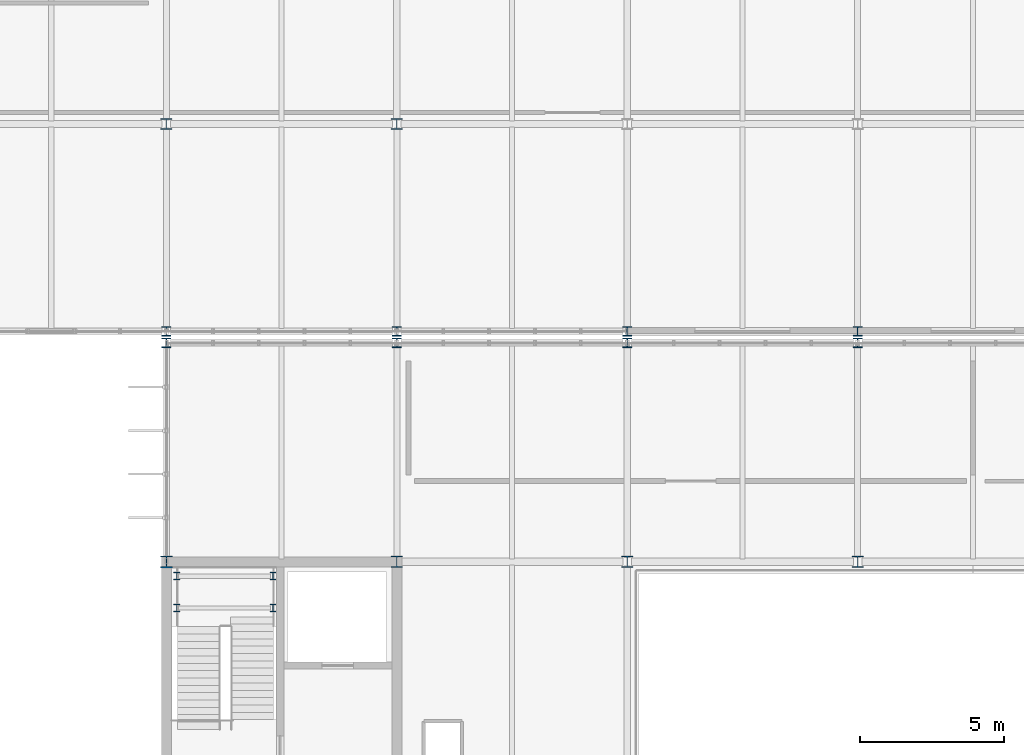
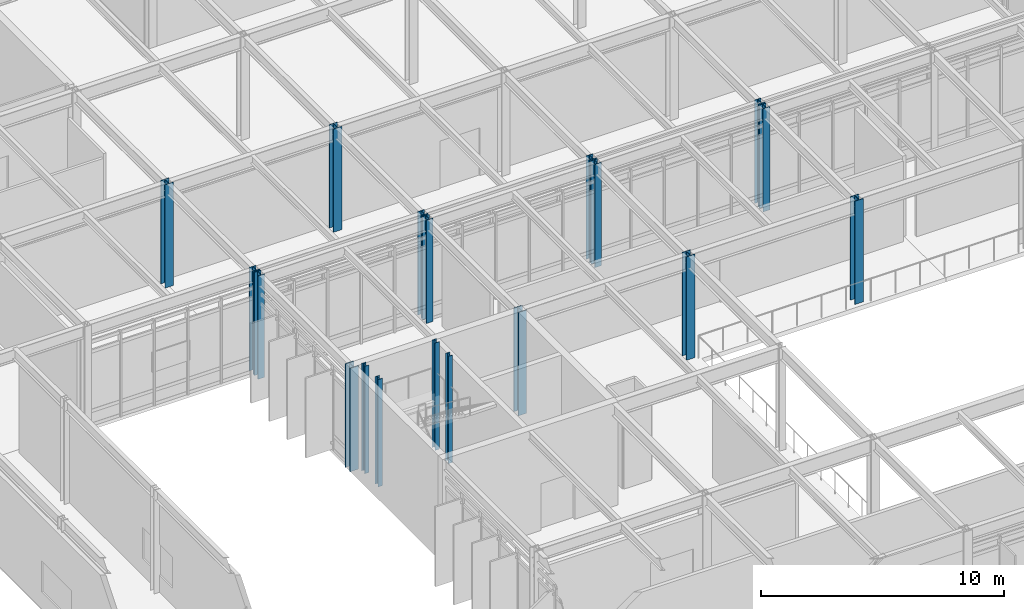
# One storey, part 11 of 94: 18 columns.
"""IFC4 building model written with IfcOpenShell, lengths in metres."""

from ifc_helpers import new_model, si_unit, direction, frame, origin, origin_2d, place, context, subcontext, project, spatial, i_section, extrude, material, material_profile, profile_set, type_object, element, save


model = new_model("IFC4")

# Units and contexts
model_context = context("Model", 3, precision=1e-05, world=origin(), true_north=direction((0.0, 1.0)))
body_context = subcontext(model_context, "Body", "Model", "MODEL_VIEW")
ifc_project = project(units=[si_unit("LENGTHUNIT", "METRE"), si_unit("AREAUNIT", "SQUARE_METRE"), si_unit("VOLUMEUNIT", "CUBIC_METRE"), si_unit("PLANEANGLEUNIT", "RADIAN"), si_unit("MASSUNIT", "GRAM", prefix="KILO")], contexts=[model_context])

# Site, building, storey
site_placement = place(None, origin())
site = spatial("IfcSite", under=ifc_project, at=site_placement, CompositionType="ELEMENT")
building_placement = place(site_placement, origin())
building = spatial("IfcBuilding", under=site, at=building_placement, Name="Zulena Civic Courthouse", CompositionType="ELEMENT")
storey_placement = place(building_placement, frame((0.0, 0.0, 5.39990234375)))
storey = spatial("IfcBuildingStorey", under=building, at=storey_placement, Name="L01", CompositionType="ELEMENT", Elevation=5.39990234375)

# Columns
ifc_material = material(Name="Steel ASTM A992 Grade 50", Category="steel")
ifc_material_profile_1 = material_profile(ifc_material, i_section(OverallWidth=0.2041015625, OverallDepth=0.257080078125, WebThickness=0.0087890625, FlangeThickness=0.015625, FilletRadius=0.0126953125, at=origin_2d()), Name="W10X45")
ifc_profile_set_1 = profile_set([ifc_material_profile_1], Name="Steel ASTM A992 Grade 50")
column_type_1 = type_object("IfcColumnType", Name="Col_W10X45", PredefinedType="COLUMN", material=ifc_profile_set_1)
for number, where, z_axis, x_axis, name in (
    (1, (68.360107421875, 36.39990234375, 0.0), (0.0, 0.0, 1.0), (1.0, 0.0, 0.0), "col:lnd:K4A:L01:0:0"),
    (2, (71.699951171875, 36.39990234375, 0.0), (0.0, 0.0, 1.0), (1.0, 0.0, 0.0), "col:lnd:K4A:L01:0:1"),
    (3, (68.360107421875, 37.5, 0.0), (0.0, 0.0, 1.0), (1.0, 0.0, 0.0), "col:lnd:K4A:L01:1:0"),
    (4, (71.699951171875, 37.5, 0.0), (0.0, 0.0, 1.0), (1.0, 0.0, 0.0), "col:lnd:K4A:L01:1:1"),
):
    element("IfcColumn", number, at=place(storey_placement, frame(where, z_axis=z_axis, x_axis=x_axis)), inside=storey, type_object=column_type_1, Name=name, PredefinedType="COLUMN", context=body_context, shape_type="SweptSolid", body=[
        extrude(i_section(OverallWidth=0.2041015625, OverallDepth=0.257080078125, WebThickness=0.0087890625, FlangeThickness=0.015625, FilletRadius=0.0126953125, at=origin_2d()), origin(), (0.0, 0.0, 1.0), 5.39501953125),
    ])
ifc_material_profile_2 = material_profile(ifc_material, i_section(OverallWidth=0.31298828125, OverallDepth=0.3330078125, WebThickness=0.01806640625, FlangeThickness=0.0283203125, FilletRadius=0.01513671875, at=origin_2d()), Name="W12X120")
ifc_profile_set_2 = profile_set([ifc_material_profile_2], Name="Steel ASTM A992 Grade 50")
column_type_2 = type_object("IfcColumnType", Name="Col_W12X120", PredefinedType="COLUMN", material=ifc_profile_set_2)
for number, where, z_axis, x_axis, name in (
    (5, (68.0, 45.60009765625, 0.0), (0.0, 0.0, 1.0), (1.0, 0.0, 0.0), "col:V4:L01:68.0:45.6"),
    (6, (76.0, 45.60009765625, 0.0), (0.0, 0.0, 1.0), (1.0, 0.0, 0.0), "col:V4:L01:76.0:45.6"),
    (7, (84.0, 45.60009765625, 0.0), (0.0, 0.0, 1.0), (1.0, 0.0, 0.0), "col:V4:L01:84.0:45.6"),
    (8, (92.0, 45.60009765625, 0.0), (0.0, 0.0, 1.0), (1.0, 0.0, 0.0), "col:V4:L01:92.0:45.6"),
    (9, (68.0, 46.0, 0.0), (0.0, 0.0, 1.0), (1.0, 0.0, 0.0), "col:V5:L01:68.0:46.0"),
    (10, (76.0, 46.0, 0.0), (0.0, 0.0, 1.0), (1.0, 0.0, 0.0), "col:V5:L01:76.0:46.0"),
    (11, (84.0, 46.0, 0.0), (0.0, 0.0, 1.0), (1.0, 0.0, 0.0), "col:V5:L01:84.0:46.0"),
    (12, (92.0, 46.0, 0.0), (0.0, 0.0, 1.0), (1.0, 0.0, 0.0), "col:V5:L01:92.0:46.0"),
):
    element("IfcColumn", number, at=place(storey_placement, frame(where, z_axis=z_axis, x_axis=x_axis)), inside=storey, type_object=column_type_2, Name=name, PredefinedType="COLUMN", context=body_context, shape_type="SweptSolid", body=[
        extrude(i_section(OverallWidth=0.31298828125, OverallDepth=0.3330078125, WebThickness=0.01806640625, FlangeThickness=0.0283203125, FilletRadius=0.01513671875, at=origin_2d()), origin(), (0.0, 0.0, 1.0), 5.18505859375),
    ])
ifc_material_profile_3 = material_profile(ifc_material, i_section(OverallWidth=0.39404296875, OverallDepth=0.3759765625, WebThickness=0.017333984375, FlangeThickness=0.027587890625, FilletRadius=0.01513671875, at=origin_2d()), Name="W14X145")
ifc_profile_set_3 = profile_set([ifc_material_profile_3], Name="Steel ASTM A992 Grade 50")
column_type_3 = type_object("IfcColumnType", Name="Col_W14X145", PredefinedType="COLUMN", material=ifc_profile_set_3)
for number, where, z_axis, x_axis, name in (
    (13, (68.0, 53.199951171875, 0.0), (0.0, 0.0, 1.0), (1.0, 0.0, 0.0), "col:V5:L01:68.0:53.2"),
    (14, (76.0, 53.199951171875, 0.0), (0.0, 0.0, 1.0), (1.0, 0.0, 0.0), "col:V5:L01:76.0:53.2"),
):
    element("IfcColumn", number, at=place(storey_placement, frame(where, z_axis=z_axis, x_axis=x_axis)), inside=storey, type_object=column_type_3, Name=name, PredefinedType="COLUMN", context=body_context, shape_type="SweptSolid", body=[
        extrude(i_section(OverallWidth=0.39404296875, OverallDepth=0.3759765625, WebThickness=0.017333984375, FlangeThickness=0.027587890625, FilletRadius=0.01513671875, at=origin_2d()), origin(), (0.0, 0.0, 1.0), 5.18505859375),
    ])
ifc_material_profile_4 = material_profile(ifc_material, i_section(OverallWidth=0.40087890625, OverallDepth=0.39892578125, WebThickness=0.02490234375, FlangeThickness=0.03955078125, FilletRadius=0.01513671875, at=origin_2d()), Name="W14X211")
ifc_profile_set_4 = profile_set([ifc_material_profile_4], Name="Steel ASTM A992 Grade 50")
column_type_4 = type_object("IfcColumnType", Name="Col_W14X211", PredefinedType="COLUMN", material=ifc_profile_set_4)
for number, where, z_axis, x_axis, name in (
    (15, (76.0, 38.0, 0.0), (0.0, 0.0, 1.0), (1.0, 0.0, 0.0), "col:V4:L01:76.0:38.0"),
    (16, (84.0, 38.0, 0.0), (0.0, 0.0, 1.0), (1.0, 0.0, 0.0), "col:V4:L01:84.0:38.0"),
    (17, (92.0, 38.0, 0.0), (0.0, 0.0, 1.0), (1.0, 0.0, 0.0), "col:V4:L01:92.0:38.0"),
):
    element("IfcColumn", number, at=place(storey_placement, frame(where, z_axis=z_axis, x_axis=x_axis)), inside=storey, type_object=column_type_4, Name=name, PredefinedType="COLUMN", context=body_context, shape_type="SweptSolid", body=[
        extrude(i_section(OverallWidth=0.40087890625, OverallDepth=0.39892578125, WebThickness=0.02490234375, FlangeThickness=0.03955078125, FilletRadius=0.01513671875, at=origin_2d()), origin(), (0.0, 0.0, 1.0), 5.18505859375),
    ])
ifc_material_profile_5 = material_profile(ifc_material, i_section(OverallWidth=0.406005859375, OverallDepth=0.416015625, WebThickness=0.02978515625, FlangeThickness=0.048095703125, FilletRadius=0.01513671875, at=origin_2d()), Name="W14X257")
ifc_profile_set_5 = profile_set([ifc_material_profile_5], Name="Steel ASTM A992 Grade 50")
column_type_5 = type_object("IfcColumnType", Name="Col_W14X257", PredefinedType="COLUMN", material=ifc_profile_set_5)
column_placement = place(storey_placement, frame((68.0, 38.0, 0.0), z_axis=(0.0, 0.0, 1.0), x_axis=(1.0, 0.0, 0.0)))
element("IfcColumn", 18, at=column_placement, inside=storey, type_object=column_type_5, Name="col:V4:L01:68.0:38.0", PredefinedType="COLUMN", context=body_context, shape_type="SweptSolid", body=[
    extrude(i_section(OverallWidth=0.406005859375, OverallDepth=0.416015625, WebThickness=0.02978515625, FlangeThickness=0.048095703125, FilletRadius=0.01513671875, at=origin_2d()), origin(), (0.0, 0.0, 1.0), 5.18505859375),
])

save(model, "model.ifc")
